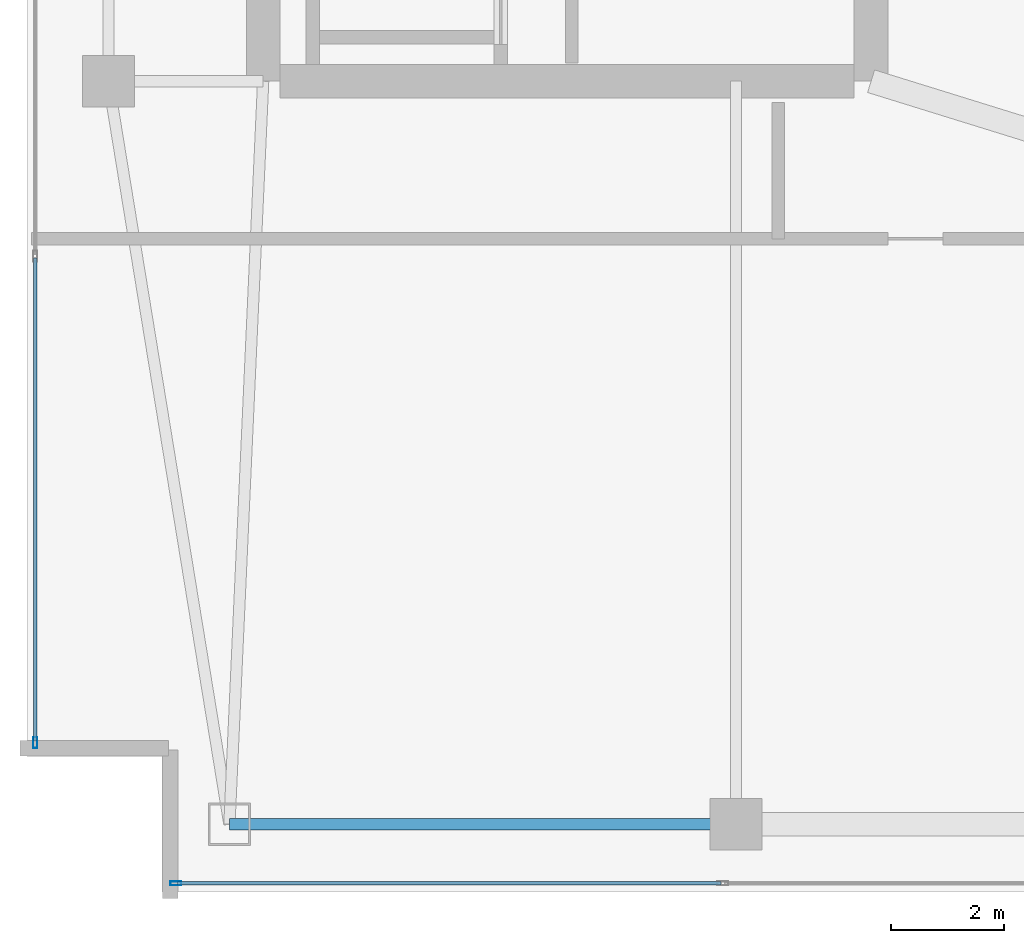
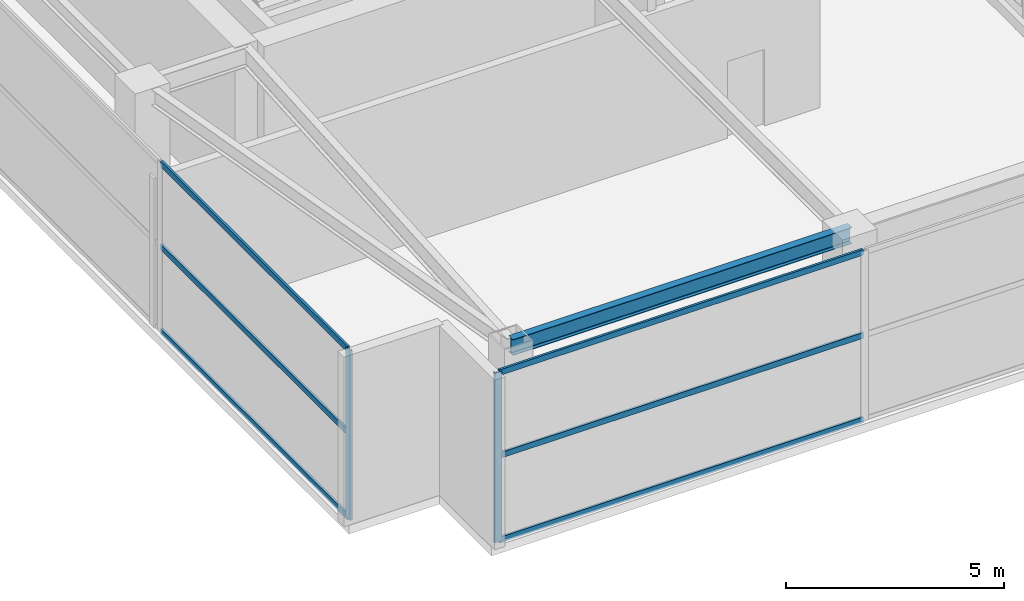
# One storey, part 3 of 20: 8 members, 1 beam, 2 elements without a shape of their own.
"""IFC4 building model written with IfcOpenShell, lengths in metres."""

import ifcopenshell
import ifcopenshell.guid

model = None  # the IFC model being written
_history = None  # IfcOwnerHistory: only IFC2X3 demands one
_inside = {}  # id of a spatial element -> (the spatial element, [elements in it])
_under = {}  # id of a project, library or spatial element -> (it, [spatial elements below it])
_declared = {}  # id of a project -> (the project, [libraries it declares])
_typed = {}  # id of a type object -> (the type object, [elements of that type])
_made_of = {}  # id of a material, layer set ... -> (it, [elements and type objects made of it])


def new_model(schema):
    """Start an empty IFC model of exactly this schema.

    Asked for "IFC4X3", IfcOpenShell would pick the latest addendum, in which some entities
    have other attributes; the version numbers below select the first issue.
    IFC2X3 requires an IfcOwnerHistory on every rooted entity: one is made here for all.
    """
    global model, _history
    if schema == "IFC4X3":
        model = ifcopenshell.file(schema_version=(4, 3, 0, 0))
    else:
        model = ifcopenshell.file(schema=schema)
    _inside.clear()
    _under.clear()
    _declared.clear()
    _typed.clear()
    _made_of.clear()
    _history = None
    if model.schema == "IFC2X3":
        org = make("IfcOrganization", Name="unknown")
        user = make(
            "IfcPersonAndOrganization",
            ThePerson=make("IfcPerson", FamilyName="unknown"),
            TheOrganization=org,
        )
        app = make(
            "IfcApplication",
            ApplicationDeveloper=org,
            Version="unknown",
            ApplicationFullName="unknown",
            ApplicationIdentifier="unknown",
        )
        _history = make(
            "IfcOwnerHistory",
            OwningUser=user,
            OwningApplication=app,
            ChangeAction="ADDED",
            CreationDate=0,
        )
    return model


def make(cls, **values):
    """One entity of the class cls with the attributes given. An attribute that is None is left unset."""
    return model.create_entity(
        cls, **{name: value for name, value in values.items() if value is not None}
    )


def rooted(cls, **values):
    """An entity with a GlobalId (a new one), such as an element, a storey or a relation."""
    return make(cls, GlobalId=ifcopenshell.guid.new(), OwnerHistory=_history, **values)


def si_unit(unit_type, name, prefix=None):
    """IfcSIUnit, for example si_unit("LENGTHUNIT", "METRE", prefix="MILLI")."""
    return make("IfcSIUnit", UnitType=unit_type, Prefix=prefix, Name=name)


def assignment(units):
    """IfcUnitAssignment: the units of a project."""
    return None if units is None else make("IfcUnitAssignment", Units=units)


def point(xyz):
    """IfcCartesianPoint."""
    return None if xyz is None else make("IfcCartesianPoint", Coordinates=xyz)


def direction(xyz):
    """IfcDirection."""
    return None if xyz is None else make("IfcDirection", DirectionRatios=xyz)


def frame(location, z_axis=None, x_axis=None):
    """IfcAxis2Placement3D, a coordinate frame: its origin and axes. An axis left out is left unset."""
    return make(
        "IfcAxis2Placement3D",
        Location=point(location),
        Axis=direction(z_axis),
        RefDirection=direction(x_axis),
    )


def frame_2d(location, x_axis=None):
    """IfcAxis2Placement2D, a coordinate frame in the plane: its origin and x axis."""
    return make(
        "IfcAxis2Placement2D", Location=point(location), RefDirection=direction(x_axis)
    )


def origin():
    """The frame at (0, 0, 0) with its axes left unset."""
    return frame((0.0, 0.0, 0.0))


def origin_2d():
    """The frame at (0, 0) in the plane with its x axis left unset."""
    return frame_2d((0.0, 0.0))


def place(relative_to, where):
    """IfcLocalPlacement: puts the frame where relative to a parent placement (None: the world)."""
    return make(
        "IfcLocalPlacement", PlacementRelTo=relative_to, RelativePlacement=where
    )


def context(
    kind, dimensions, precision=None, world=None, true_north=None, identifier=None
):
    """IfcGeometricRepresentationContext, for example the 3D "Model" context."""
    return make(
        "IfcGeometricRepresentationContext",
        ContextIdentifier=identifier,
        ContextType=kind,
        CoordinateSpaceDimension=dimensions,
        Precision=precision,
        WorldCoordinateSystem=world,
        TrueNorth=true_north,
    )


def subcontext(parent, identifier, kind, view, scale=None):
    """IfcGeometricRepresentationSubContext, for example "Body" below "Model"."""
    return make(
        "IfcGeometricRepresentationSubContext",
        ContextIdentifier=identifier,
        ContextType=kind,
        ParentContext=parent,
        TargetScale=scale,
        TargetView=view,
    )


def project(units=None, contexts=None):
    """IfcProject with its units and contexts."""
    return rooted(
        "IfcProject",
        Name="project",
        RepresentationContexts=contexts,
        UnitsInContext=assignment(units),
    )


def spatial(cls, under=None, at=None, **own):
    """A site, building, storey or space (cls), placed at a placement, below another one or the project."""
    s = rooted(cls, ObjectPlacement=at, **own)
    if under is not None:
        _under.setdefault(under.id(), (under, []))[1].append(s)
    return s


def profile(cls, at=None, kind="AREA", **sizes):
    """A parametric profile (cls). Its sizes go by their IFC names, for example OverallWidth=200.0."""
    return make(cls, ProfileType=kind, Position=at, **sizes)


def hollow_rectangle(**sizes):
    """IfcRectangleHollowProfileDef."""
    return profile("IfcRectangleHollowProfileDef", **sizes)


def i_section(**sizes):
    """IfcIShapeProfileDef."""
    return profile("IfcIShapeProfileDef", **sizes)


def extrude(swept, where, along, depth):
    """IfcExtrudedAreaSolid: the profile swept, set in the frame where, extruded along a direction by depth."""
    return make(
        "IfcExtrudedAreaSolid",
        SweptArea=swept,
        Position=where,
        ExtrudedDirection=direction(along),
        Depth=depth,
    )


def shape(context_of_items, identifier, shape_type, items):
    """IfcShapeRepresentation: the items that make up one representation, for example the "Body"."""
    return make(
        "IfcShapeRepresentation",
        ContextOfItems=context_of_items,
        RepresentationIdentifier=identifier,
        RepresentationType=shape_type,
        Items=items,
    )


def material(Name=None, Category=None):
    """IfcMaterial."""
    return make("IfcMaterial", Name=Name, Category=Category)


def layer(
    of_material, thickness, ventilated=None, Name=None, Category=None, Priority=None
):
    """IfcMaterialLayer: one layer of a wall or slab, of a material (None: an air gap)."""
    return make(
        "IfcMaterialLayer",
        Material=of_material,
        LayerThickness=thickness,
        IsVentilated=ventilated,
        Name=Name,
        Category=Category,
        Priority=Priority,
    )


def layer_set(layers, Name=None):
    """IfcMaterialLayerSet."""
    return make("IfcMaterialLayerSet", MaterialLayers=layers, LayerSetName=Name)


def material_profile(
    of_material, cross_section, Name=None, Category=None, Priority=None
):
    """IfcMaterialProfile: a cross section and its material."""
    return make(
        "IfcMaterialProfile",
        Name=Name,
        Material=of_material,
        Profile=cross_section,
        Priority=Priority,
        Category=Category,
    )


def profile_set(profiles, Name=None, composite=None):
    """IfcMaterialProfileSet."""
    return make(
        "IfcMaterialProfileSet",
        Name=Name,
        MaterialProfiles=profiles,
        CompositeProfile=composite,
    )


def made_of(thing, what):
    """Note that an element or type object is made of a material, layer set ...; save() writes the relation."""
    if what is not None:
        _made_of.setdefault(what.id(), (what, []))[1].append(thing)
    return thing


def type_object(cls, material=None, **own):
    """A type object (cls), such as IfcWallType, which elements share."""
    return made_of(rooted(cls, **own), material)


def element(
    cls,
    number,
    at=None,
    inside=None,
    cuts=None,
    type_object=None,
    material=None,
    context=None,
    identifier="Body",
    shape_type=None,
    held_by="IfcProductDefinitionShape",
    body=None,
    shapes=None,
    **own,
):
    """One element of the class cls, such as IfcWall. Its Tag is "e" and its number.

    at: its placement. inside: the storey or other place that contains it. cuts: it is an
    opening in that element (IfcRelVoidsElement). A single representation is given by context,
    identifier, shape_type and body (its items); several are given by shapes. held_by: the class
    of the entity that holds the representations. save() writes the other relations.
    """
    e = rooted(cls, Tag="e%d" % number, ObjectPlacement=at, **own)
    if body is not None:
        shapes = [shape(context, identifier, shape_type, body)]
    if shapes is not None:
        e.Representation = make(held_by, Representations=shapes)
    if inside is not None:
        _inside.setdefault(inside.id(), (inside, []))[1].append(e)
    if cuts is not None:
        rooted(
            "IfcRelVoidsElement", RelatingBuildingElement=cuts, RelatedOpeningElement=e
        )
    if type_object is not None:
        _typed.setdefault(type_object.id(), (type_object, []))[1].append(e)
    return made_of(e, material)


def aggregate(whole, parts):
    """IfcRelAggregates: a whole, such as a stair, and the parts it consists of."""
    return rooted("IfcRelAggregates", RelatingObject=whole, RelatedObjects=parts)


def save(model, path):
    """Write the relations noted so far, then the file.

    IfcRelAggregates (storeys below a building ...), IfcRelContainedInSpatialStructure (elements
    in a storey), IfcRelDefinesByType, IfcRelAssociatesMaterial and IfcRelDeclares: one each for
    every whole, place, type object, material and project.
    """
    for whole, parts in _under.values():
        aggregate(whole, parts)
    for where, things in _inside.values():
        rooted(
            "IfcRelContainedInSpatialStructure",
            RelatedElements=things,
            RelatingStructure=where,
        )
    for kind, things in _typed.values():
        rooted("IfcRelDefinesByType", RelatedObjects=things, RelatingType=kind)
    for what, things in _made_of.values():
        rooted("IfcRelAssociatesMaterial", RelatedObjects=things, RelatingMaterial=what)
    for by, libraries in _declared.values():
        rooted("IfcRelDeclares", RelatingContext=by, RelatedDefinitions=libraries)
    model.write(path)


model = new_model("IFC4")

# Units and contexts
model_context = context("Model", 3, precision=1e-05, world=origin(), true_north=direction((0.0, 1.0)))
body_context = subcontext(model_context, "Body", "Model", "MODEL_VIEW")
ifc_project = project(units=[si_unit("LENGTHUNIT", "METRE"), si_unit("AREAUNIT", "SQUARE_METRE"), si_unit("VOLUMEUNIT", "CUBIC_METRE"), si_unit("PLANEANGLEUNIT", "RADIAN"), si_unit("MASSUNIT", "GRAM", prefix="KILO")], contexts=[model_context])

# Site, building, storey
site_placement = place(None, origin())
site = spatial("IfcSite", under=ifc_project, at=site_placement, CompositionType="ELEMENT")
building_placement = place(site_placement, origin())
building = spatial("IfcBuilding", under=site, at=building_placement, Name="Calvorn Quay Hotel", CompositionType="ELEMENT")
storey_placement = place(building_placement, frame((0.0, 0.0, 335.5)))
storey = spatial("IfcBuildingStorey", under=building, at=storey_placement, Name="L82", CompositionType="ELEMENT", Elevation=335.5)

# Beam
ifc_material_1 = material(Name="Steel Q355B", Category="steel")
ifc_material_profile_1 = material_profile(ifc_material_1, i_section(OverallWidth=0.199951171875, OverallDepth=0.449951171875, WebThickness=0.009033203125, FlangeThickness=0.013916015625, FilletRadius=0.01611328125, at=origin_2d()), Name="HN450x200x9x14")
ifc_profile_set_1 = profile_set([ifc_material_profile_1], Name="Steel Q355B")
beam_type = type_object("IfcBeamType", Name="BM-SPANDREL-Z3", PredefinedType="SPANDREL", material=ifc_profile_set_1)
beam_placement = place(storey_placement, frame((3.60009765625, 3.60009765625, 4.514892578125), z_axis=(1.0, 0.0, 0.0), x_axis=(0.0, 1.0, 0.0)))
element("IfcBeam", 1, at=beam_placement, inside=storey, type_object=beam_type, Name="Beam BSP-L82-CS1", PredefinedType="SPANDREL", context=body_context, shape_type="SweptSolid", body=[
    extrude(i_section(OverallWidth=0.199951171875, OverallDepth=0.449951171875, WebThickness=0.009033203125, FlangeThickness=0.013916015625, FilletRadius=0.01611328125, at=origin_2d()), origin(), (0.0, 0.0, 1.0), 9.0),
])

# Curtain wall, member
ifc_material_2 = material(Name="Pale Anodised Aluminium and Laminated Glass", Category="aluminium")
ifc_layer = layer(ifc_material_2, 0.219970703125)
ifc_layer_set = layer_set([ifc_layer], Name="CW-SYS-CRN")
curtain_wall_type = type_object("IfcCurtainWallType", Name="CW-SYS-CRN", PredefinedType="NOTDEFINED", material=ifc_layer_set)
curtain_wall_1_placement = place(storey_placement, origin())
curtain_wall_1 = element("IfcCurtainWall", 2, at=curtain_wall_1_placement, inside=storey, type_object=curtain_wall_type, Name="Crown Curtain Wall L82-C1", PredefinedType="NOTDEFINED")
ifc_material_3 = material(Name="Pale Anodised Aluminium 6063-T6", Category="aluminium")
ifc_material_profile_2 = material_profile(ifc_material_3, hollow_rectangle(XDim=0.072021484375, YDim=0.195068359375, WallThickness=0.00390625, at=origin_2d()), Name="ALU-M195x72x4")
ifc_profile_set_2 = profile_set([ifc_material_profile_2], Name="Pale Anodised Aluminium 6063-T6")
member_type_1 = type_object("IfcMemberType", Name="CW-SYS-CRN-MUL", PredefinedType="MULLION", material=ifc_profile_set_2)
member_1_placement = place(storey_placement, frame((2.64990234375, 2.550048828125, 0.0), z_axis=(0.0, 0.0, 1.0), x_axis=(0.0, 1.0, 0.0)))
member_1 = element("IfcMember", 3, at=member_1_placement, type_object=member_type_1, Name="CW-L82-C1 mullion 1", PredefinedType="MULLION", context=body_context, shape_type="SweptSolid", body=[
    extrude(hollow_rectangle(XDim=0.072021484375, YDim=0.195068359375, WallThickness=0.00390625, at=origin_2d()), origin(), (0.0, 0.0, 1.0), 4.760009765625),
])

curtain_wall_2_placement = place(storey_placement, origin())
curtain_wall_2 = element("IfcCurtainWall", 4, at=curtain_wall_2_placement, inside=storey, type_object=curtain_wall_type, Name="Crown Curtain Wall L82-C5", PredefinedType="NOTDEFINED")
member_2_placement = place(storey_placement, frame((0.14990234375, 5.050048828125, 0.0), z_axis=(0.0, 0.0, 1.0), x_axis=(1.0, 0.0, 0.0)))
member_2 = element("IfcMember", 5, at=member_2_placement, type_object=member_type_1, Name="CW-L82-C5 mullion 6", PredefinedType="MULLION", context=body_context, shape_type="SweptSolid", body=[
    extrude(hollow_rectangle(XDim=0.072021484375, YDim=0.195068359375, WallThickness=0.00390625, at=origin_2d()), origin(), (0.0, 0.0, 1.0), 4.760009765625),
])

# Member
ifc_material_4 = material(Name="Pale Anodised Aluminium 6063-T6", Category="aluminium")
ifc_material_profile_3 = material_profile(ifc_material_4, hollow_rectangle(XDim=0.06201171875, YDim=0.159912109375, WallThickness=0.00341796875, at=origin_2d()), Name="ALU-T160x62x3.5")
ifc_profile_set_3 = profile_set([ifc_material_profile_3], Name="Pale Anodised Aluminium 6063-T6")
member_type_2 = type_object("IfcMemberType", Name="CW-SYS-CRN-TRN", PredefinedType="USERDEFINED", material=ifc_profile_set_3)
member_3_placement = place(storey_placement, frame((2.679931640625, 2.550048828125, 0.030029296875), z_axis=(1.0, 0.0, 0.0), x_axis=(0.0, 1.0, 0.0)))
member_3 = element("IfcMember", 6, at=member_3_placement, type_object=member_type_2, Name="CW-L82-C1 transom 1.1", ObjectType="TRANSOM", PredefinedType="USERDEFINED", context=body_context, shape_type="SweptSolid", body=[
    extrude(hollow_rectangle(XDim=0.06201171875, YDim=0.159912109375, WallThickness=0.00341796875, at=origin_2d()), origin(), (0.0, 0.0, 1.0), 9.656494140625),
])

member_4_placement = place(storey_placement, frame((2.679931640625, 2.550048828125, 2.39990234375), z_axis=(1.0, 0.0, 0.0), x_axis=(0.0, 1.0, 0.0)))
member_4 = element("IfcMember", 7, at=member_4_placement, type_object=member_type_2, Name="CW-L82-C1 transom 1.2", ObjectType="TRANSOM", PredefinedType="USERDEFINED", context=body_context, shape_type="SweptSolid", body=[
    extrude(hollow_rectangle(XDim=0.06201171875, YDim=0.159912109375, WallThickness=0.00341796875, at=origin_2d()), origin(), (0.0, 0.0, 1.0), 9.656494140625),
])

member_5_placement = place(storey_placement, frame((2.679931640625, 2.550048828125, 4.72998046875), z_axis=(1.0, 0.0, 0.0), x_axis=(0.0, 1.0, 0.0)))
member_5 = element("IfcMember", 8, at=member_5_placement, type_object=member_type_2, Name="CW-L82-C1 transom 1.3", ObjectType="TRANSOM", PredefinedType="USERDEFINED", context=body_context, shape_type="SweptSolid", body=[
    extrude(hollow_rectangle(XDim=0.06201171875, YDim=0.159912109375, WallThickness=0.00341796875, at=origin_2d()), origin(), (0.0, 0.0, 1.0), 9.656494140625),
])

aggregate(curtain_wall_1, [member_1, member_3, member_4, member_5])

member_6_placement = place(storey_placement, frame((0.14990234375, 13.662109375, 0.030029296875), z_axis=(0.0, -1.0, 0.0), x_axis=(1.0, 0.0, 0.0)))
member_6 = element("IfcMember", 9, at=member_6_placement, type_object=member_type_2, Name="CW-L82-C5 transom 5.1", ObjectType="TRANSOM", PredefinedType="USERDEFINED", context=body_context, shape_type="SweptSolid", body=[
    extrude(hollow_rectangle(XDim=0.06201171875, YDim=0.159912109375, WallThickness=0.00341796875, at=origin_2d()), origin(), (0.0, 0.0, 1.0), 8.58203125),
])

member_7_placement = place(storey_placement, frame((0.14990234375, 13.662109375, 2.39990234375), z_axis=(0.0, -1.0, 0.0), x_axis=(1.0, 0.0, 0.0)))
member_7 = element("IfcMember", 10, at=member_7_placement, type_object=member_type_2, Name="CW-L82-C5 transom 5.2", ObjectType="TRANSOM", PredefinedType="USERDEFINED", context=body_context, shape_type="SweptSolid", body=[
    extrude(hollow_rectangle(XDim=0.06201171875, YDim=0.159912109375, WallThickness=0.00341796875, at=origin_2d()), origin(), (0.0, 0.0, 1.0), 8.58203125),
])

member_8_placement = place(storey_placement, frame((0.14990234375, 13.662109375, 4.72998046875), z_axis=(0.0, -1.0, 0.0), x_axis=(1.0, 0.0, 0.0)))
member_8 = element("IfcMember", 11, at=member_8_placement, type_object=member_type_2, Name="CW-L82-C5 transom 5.3", ObjectType="TRANSOM", PredefinedType="USERDEFINED", context=body_context, shape_type="SweptSolid", body=[
    extrude(hollow_rectangle(XDim=0.06201171875, YDim=0.159912109375, WallThickness=0.00341796875, at=origin_2d()), origin(), (0.0, 0.0, 1.0), 8.58203125),
])

aggregate(curtain_wall_2, [member_2, member_6, member_7, member_8])

save(model, "model.ifc")
